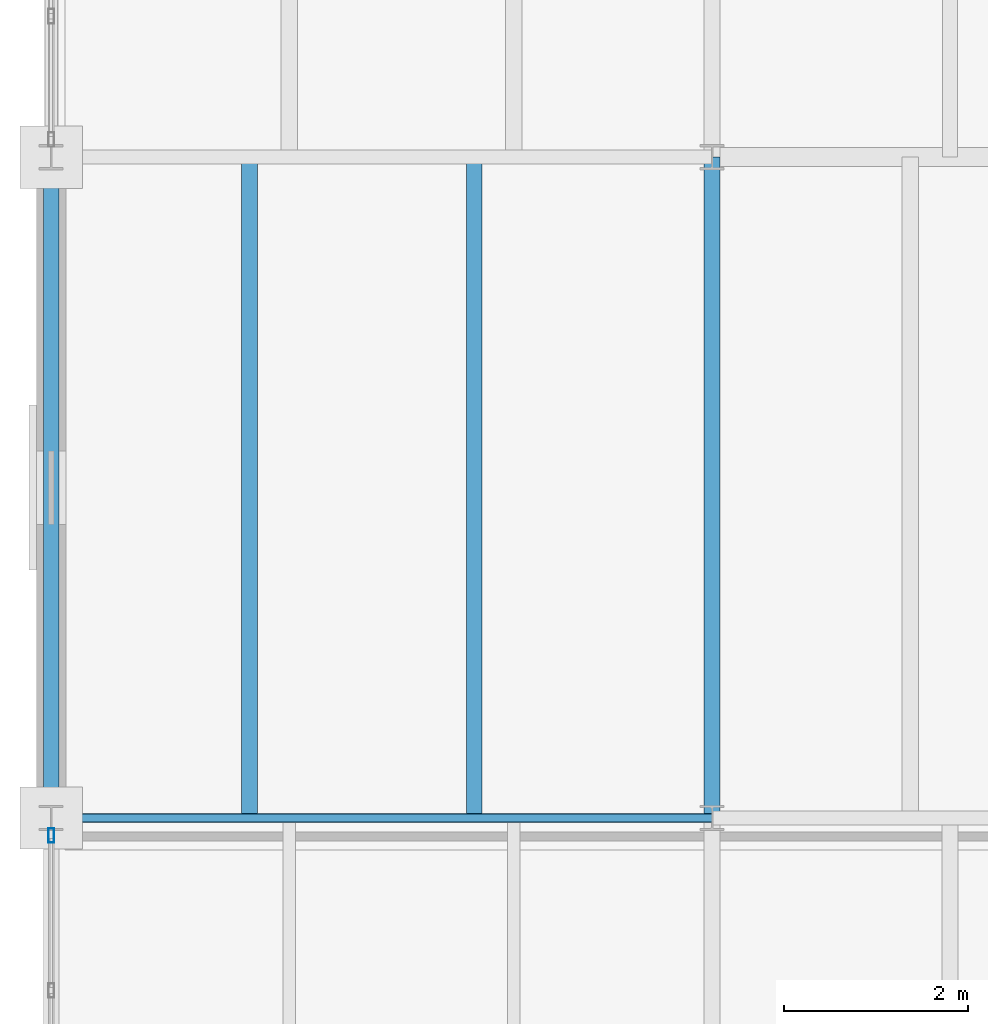
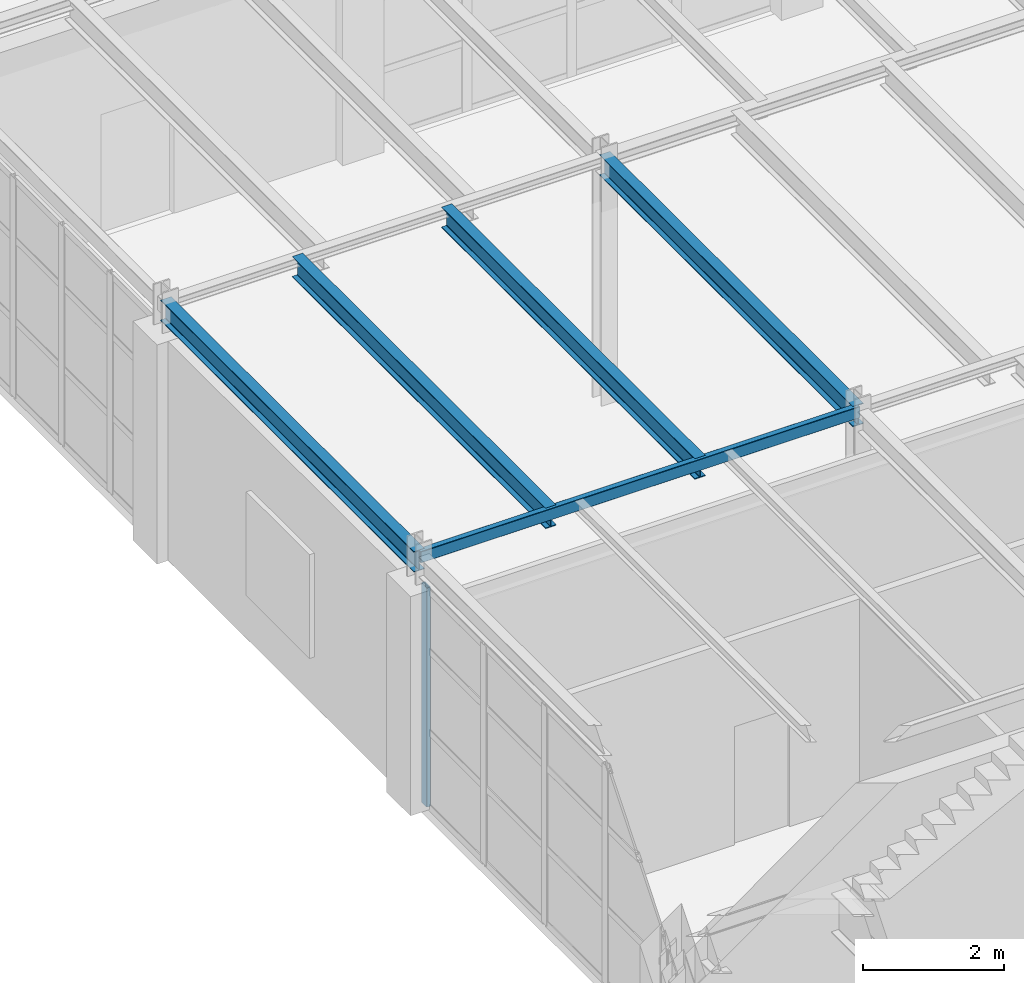
# One storey, part 42 of 101: 5 beams, 1 member, 1 element without a shape of its own.
"""IFC4 building model written with IfcOpenShell, lengths in metres."""

import ifcopenshell
import ifcopenshell.guid

model = None  # the IFC model being written
_history = None  # IfcOwnerHistory: only IFC2X3 demands one
_inside = {}  # id of a spatial element -> (the spatial element, [elements in it])
_under = {}  # id of a project, library or spatial element -> (it, [spatial elements below it])
_declared = {}  # id of a project -> (the project, [libraries it declares])
_typed = {}  # id of a type object -> (the type object, [elements of that type])
_made_of = {}  # id of a material, layer set ... -> (it, [elements and type objects made of it])


def new_model(schema):
    """Start an empty IFC model of exactly this schema.

    Asked for "IFC4X3", IfcOpenShell would pick the latest addendum, in which some entities
    have other attributes; the version numbers below select the first issue.
    IFC2X3 requires an IfcOwnerHistory on every rooted entity: one is made here for all.
    """
    global model, _history
    if schema == "IFC4X3":
        model = ifcopenshell.file(schema_version=(4, 3, 0, 0))
    else:
        model = ifcopenshell.file(schema=schema)
    _inside.clear()
    _under.clear()
    _declared.clear()
    _typed.clear()
    _made_of.clear()
    _history = None
    if model.schema == "IFC2X3":
        org = make("IfcOrganization", Name="unknown")
        user = make(
            "IfcPersonAndOrganization",
            ThePerson=make("IfcPerson", FamilyName="unknown"),
            TheOrganization=org,
        )
        app = make(
            "IfcApplication",
            ApplicationDeveloper=org,
            Version="unknown",
            ApplicationFullName="unknown",
            ApplicationIdentifier="unknown",
        )
        _history = make(
            "IfcOwnerHistory",
            OwningUser=user,
            OwningApplication=app,
            ChangeAction="ADDED",
            CreationDate=0,
        )
    return model


def make(cls, **values):
    """One entity of the class cls with the attributes given. An attribute that is None is left unset."""
    return model.create_entity(
        cls, **{name: value for name, value in values.items() if value is not None}
    )


def rooted(cls, **values):
    """An entity with a GlobalId (a new one), such as an element, a storey or a relation."""
    return make(cls, GlobalId=ifcopenshell.guid.new(), OwnerHistory=_history, **values)


def si_unit(unit_type, name, prefix=None):
    """IfcSIUnit, for example si_unit("LENGTHUNIT", "METRE", prefix="MILLI")."""
    return make("IfcSIUnit", UnitType=unit_type, Prefix=prefix, Name=name)


def assignment(units):
    """IfcUnitAssignment: the units of a project."""
    return None if units is None else make("IfcUnitAssignment", Units=units)


def point(xyz):
    """IfcCartesianPoint."""
    return None if xyz is None else make("IfcCartesianPoint", Coordinates=xyz)


def direction(xyz):
    """IfcDirection."""
    return None if xyz is None else make("IfcDirection", DirectionRatios=xyz)


def frame(location, z_axis=None, x_axis=None):
    """IfcAxis2Placement3D, a coordinate frame: its origin and axes. An axis left out is left unset."""
    return make(
        "IfcAxis2Placement3D",
        Location=point(location),
        Axis=direction(z_axis),
        RefDirection=direction(x_axis),
    )


def frame_2d(location, x_axis=None):
    """IfcAxis2Placement2D, a coordinate frame in the plane: its origin and x axis."""
    return make(
        "IfcAxis2Placement2D", Location=point(location), RefDirection=direction(x_axis)
    )


def origin():
    """The frame at (0, 0, 0) with its axes left unset."""
    return frame((0.0, 0.0, 0.0))


def origin_2d():
    """The frame at (0, 0) in the plane with its x axis left unset."""
    return frame_2d((0.0, 0.0))


def place(relative_to, where):
    """IfcLocalPlacement: puts the frame where relative to a parent placement (None: the world)."""
    return make(
        "IfcLocalPlacement", PlacementRelTo=relative_to, RelativePlacement=where
    )


def context(
    kind, dimensions, precision=None, world=None, true_north=None, identifier=None
):
    """IfcGeometricRepresentationContext, for example the 3D "Model" context."""
    return make(
        "IfcGeometricRepresentationContext",
        ContextIdentifier=identifier,
        ContextType=kind,
        CoordinateSpaceDimension=dimensions,
        Precision=precision,
        WorldCoordinateSystem=world,
        TrueNorth=true_north,
    )


def subcontext(parent, identifier, kind, view, scale=None):
    """IfcGeometricRepresentationSubContext, for example "Body" below "Model"."""
    return make(
        "IfcGeometricRepresentationSubContext",
        ContextIdentifier=identifier,
        ContextType=kind,
        ParentContext=parent,
        TargetScale=scale,
        TargetView=view,
    )


def project(units=None, contexts=None):
    """IfcProject with its units and contexts."""
    return rooted(
        "IfcProject",
        Name="project",
        RepresentationContexts=contexts,
        UnitsInContext=assignment(units),
    )


def spatial(cls, under=None, at=None, **own):
    """A site, building, storey or space (cls), placed at a placement, below another one or the project."""
    s = rooted(cls, ObjectPlacement=at, **own)
    if under is not None:
        _under.setdefault(under.id(), (under, []))[1].append(s)
    return s


def profile(cls, at=None, kind="AREA", **sizes):
    """A parametric profile (cls). Its sizes go by their IFC names, for example OverallWidth=200.0."""
    return make(cls, ProfileType=kind, Position=at, **sizes)


def hollow_rectangle(**sizes):
    """IfcRectangleHollowProfileDef."""
    return profile("IfcRectangleHollowProfileDef", **sizes)


def i_section(**sizes):
    """IfcIShapeProfileDef."""
    return profile("IfcIShapeProfileDef", **sizes)


def extrude(swept, where, along, depth):
    """IfcExtrudedAreaSolid: the profile swept, set in the frame where, extruded along a direction by depth."""
    return make(
        "IfcExtrudedAreaSolid",
        SweptArea=swept,
        Position=where,
        ExtrudedDirection=direction(along),
        Depth=depth,
    )


def shape(context_of_items, identifier, shape_type, items):
    """IfcShapeRepresentation: the items that make up one representation, for example the "Body"."""
    return make(
        "IfcShapeRepresentation",
        ContextOfItems=context_of_items,
        RepresentationIdentifier=identifier,
        RepresentationType=shape_type,
        Items=items,
    )


def material(Name=None, Category=None):
    """IfcMaterial."""
    return make("IfcMaterial", Name=Name, Category=Category)


def layer(
    of_material, thickness, ventilated=None, Name=None, Category=None, Priority=None
):
    """IfcMaterialLayer: one layer of a wall or slab, of a material (None: an air gap)."""
    return make(
        "IfcMaterialLayer",
        Material=of_material,
        LayerThickness=thickness,
        IsVentilated=ventilated,
        Name=Name,
        Category=Category,
        Priority=Priority,
    )


def layer_set(layers, Name=None):
    """IfcMaterialLayerSet."""
    return make("IfcMaterialLayerSet", MaterialLayers=layers, LayerSetName=Name)


def material_profile(
    of_material, cross_section, Name=None, Category=None, Priority=None
):
    """IfcMaterialProfile: a cross section and its material."""
    return make(
        "IfcMaterialProfile",
        Name=Name,
        Material=of_material,
        Profile=cross_section,
        Priority=Priority,
        Category=Category,
    )


def profile_set(profiles, Name=None, composite=None):
    """IfcMaterialProfileSet."""
    return make(
        "IfcMaterialProfileSet",
        Name=Name,
        MaterialProfiles=profiles,
        CompositeProfile=composite,
    )


def made_of(thing, what):
    """Note that an element or type object is made of a material, layer set ...; save() writes the relation."""
    if what is not None:
        _made_of.setdefault(what.id(), (what, []))[1].append(thing)
    return thing


def type_object(cls, material=None, **own):
    """A type object (cls), such as IfcWallType, which elements share."""
    return made_of(rooted(cls, **own), material)


def element(
    cls,
    number,
    at=None,
    inside=None,
    cuts=None,
    type_object=None,
    material=None,
    context=None,
    identifier="Body",
    shape_type=None,
    held_by="IfcProductDefinitionShape",
    body=None,
    shapes=None,
    **own,
):
    """One element of the class cls, such as IfcWall. Its Tag is "e" and its number.

    at: its placement. inside: the storey or other place that contains it. cuts: it is an
    opening in that element (IfcRelVoidsElement). A single representation is given by context,
    identifier, shape_type and body (its items); several are given by shapes. held_by: the class
    of the entity that holds the representations. save() writes the other relations.
    """
    e = rooted(cls, Tag="e%d" % number, ObjectPlacement=at, **own)
    if body is not None:
        shapes = [shape(context, identifier, shape_type, body)]
    if shapes is not None:
        e.Representation = make(held_by, Representations=shapes)
    if inside is not None:
        _inside.setdefault(inside.id(), (inside, []))[1].append(e)
    if cuts is not None:
        rooted(
            "IfcRelVoidsElement", RelatingBuildingElement=cuts, RelatedOpeningElement=e
        )
    if type_object is not None:
        _typed.setdefault(type_object.id(), (type_object, []))[1].append(e)
    return made_of(e, material)


def aggregate(whole, parts):
    """IfcRelAggregates: a whole, such as a stair, and the parts it consists of."""
    return rooted("IfcRelAggregates", RelatingObject=whole, RelatedObjects=parts)


def save(model, path):
    """Write the relations noted so far, then the file.

    IfcRelAggregates (storeys below a building ...), IfcRelContainedInSpatialStructure (elements
    in a storey), IfcRelDefinesByType, IfcRelAssociatesMaterial and IfcRelDeclares: one each for
    every whole, place, type object, material and project.
    """
    for whole, parts in _under.values():
        aggregate(whole, parts)
    for where, things in _inside.values():
        rooted(
            "IfcRelContainedInSpatialStructure",
            RelatedElements=things,
            RelatingStructure=where,
        )
    for kind, things in _typed.values():
        rooted("IfcRelDefinesByType", RelatedObjects=things, RelatingType=kind)
    for what, things in _made_of.values():
        rooted("IfcRelAssociatesMaterial", RelatedObjects=things, RelatingMaterial=what)
    for by, libraries in _declared.values():
        rooted("IfcRelDeclares", RelatingContext=by, RelatedDefinitions=libraries)
    model.write(path)


model = new_model("IFC4")

# Units and contexts
model_context = context("Model", 3, precision=1e-05, world=origin(), true_north=direction((0.0, 1.0)))
body_context = subcontext(model_context, "Body", "Model", "MODEL_VIEW")
ifc_project = project(units=[si_unit("LENGTHUNIT", "METRE"), si_unit("AREAUNIT", "SQUARE_METRE"), si_unit("VOLUMEUNIT", "CUBIC_METRE"), si_unit("PLANEANGLEUNIT", "RADIAN"), si_unit("MASSUNIT", "GRAM", prefix="KILO")], contexts=[model_context])

# Site, building, storey
site_placement = place(None, origin())
site = spatial("IfcSite", under=ifc_project, at=site_placement, CompositionType="ELEMENT")
building_placement = place(site_placement, origin())
building = spatial("IfcBuilding", under=site, at=building_placement, Name="Kemerveld Promenade Tramway Depot", CompositionType="ELEMENT")
storey_placement = place(building_placement, frame((0.0, 0.0, 9.89990234375)))
storey = spatial("IfcBuildingStorey", under=building, at=storey_placement, Name="L02", CompositionType="ELEMENT", Elevation=9.89990234375)

# Beams
ifc_material_1 = material(Name="Steel S355", Category="steel")
ifc_material_profile_1 = material_profile(ifc_material_1, i_section(OverallWidth=0.172119140625, OverallDepth=0.35791015625, WebThickness=0.008056640625, FlangeThickness=0.012939453125, FilletRadius=0.01025390625, at=origin_2d()), Name="356x171x57 UB")
ifc_profile_set_1 = profile_set([ifc_material_profile_1], Name="Steel S355")
beam_type_1 = type_object("IfcBeamType", Name="BM-G08", PredefinedType="BEAM", material=ifc_profile_set_1)
for number, where, z_axis, x_axis, name in (
    (1, (0.0, 57.60009765625, 4.106201171875), (0.0, 1.0, 0.0), (-1.0, 0.0, 0.0), "BMY-L02-01-J-K"),
    (2, (7.199951171875, 57.60009765625, 4.106201171875), (0.0, 1.0, 0.0), (-1.0, 0.0, 0.0), "BMY-L02-02-J-K"),
):
    element("IfcBeam", number, at=place(storey_placement, frame(where, z_axis=z_axis, x_axis=x_axis)), inside=storey, type_object=beam_type_1, Name=name, PredefinedType="BEAM", context=body_context, shape_type="SweptSolid", body=[
        extrude(i_section(OverallWidth=0.172119140625, OverallDepth=0.35791015625, WebThickness=0.008056640625, FlangeThickness=0.012939453125, FilletRadius=0.01025390625, at=origin_2d()), origin(), (0.0, 0.0, 1.0), 7.199951171875),
    ])
ifc_material_profile_2 = material_profile(ifc_material_1, i_section(OverallWidth=0.172119140625, OverallDepth=0.35791015625, WebThickness=0.008056640625, FlangeThickness=0.012939453125, FilletRadius=0.01025390625, at=origin_2d()), Name="356x171x57 UB")
ifc_profile_set_2 = profile_set([ifc_material_profile_2], Name="Steel S355")
beam_type_2 = type_object("IfcBeamType", Name="BM-J04", PredefinedType="JOIST", material=ifc_profile_set_2)
for number, where, z_axis, x_axis, name in (
    (3, (2.159912109375, 57.60009765625, 4.106201171875), (0.0, 1.0, 0.0), (-1.0, 0.0, 0.0), "JST-L02-01-J-1"),
    (4, (4.60791015625, 57.60009765625, 4.106201171875), (0.0, 1.0, 0.0), (-1.0, 0.0, 0.0), "JST-L02-01-J-2"),
):
    element("IfcBeam", number, at=place(storey_placement, frame(where, z_axis=z_axis, x_axis=x_axis)), inside=storey, type_object=beam_type_2, Name=name, PredefinedType="JOIST", context=body_context, shape_type="SweptSolid", body=[
        extrude(i_section(OverallWidth=0.172119140625, OverallDepth=0.35791015625, WebThickness=0.008056640625, FlangeThickness=0.012939453125, FilletRadius=0.01025390625, at=origin_2d()), origin(), (0.0, 0.0, 1.0), 7.199951171875),
    ])
ifc_material_profile_3 = material_profile(ifc_material_1, hollow_rectangle(XDim=0.10009765625, YDim=0.199951171875, WallThickness=0.008056640625, InnerFilletRadius=0.00390625, OuterFilletRadius=0.011962890625, at=origin_2d()), Name="200x100x8.0 RHS")
ifc_profile_set_3 = profile_set([ifc_material_profile_3], Name="Steel S355")
beam_type_3 = type_object("IfcBeamType", Name="BM-LN1", PredefinedType="LINTEL", material=ifc_profile_set_3)
beam_placement = place(storey_placement, frame((0.0, 57.60009765625, 4.18505859375), z_axis=(1.0, 0.0, 0.0), x_axis=(0.0, 1.0, 0.0)))
element("IfcBeam", 5, at=beam_placement, inside=storey, type_object=beam_type_3, Name="BMX-L02-01-02-J", PredefinedType="LINTEL", context=body_context, shape_type="SweptSolid", body=[
    extrude(hollow_rectangle(XDim=0.10009765625, YDim=0.199951171875, WallThickness=0.008056640625, InnerFilletRadius=0.00390625, OuterFilletRadius=0.011962890625, at=origin_2d()), origin(), (0.0, 0.0, 1.0), 7.199951171875),
])

# Curtain wall, member
ifc_material_2 = material(Name="Bronze anodised aluminium and solar glass", Category="aluminium")
ifc_layer = layer(ifc_material_2, 0.159912109375)
ifc_layer_set = layer_set([ifc_layer], Name="CW-SYS-11")
curtain_wall_type = type_object("IfcCurtainWallType", Name="CW-SYS-11", PredefinedType="USERDEFINED", material=ifc_layer_set)
curtain_wall_placement = place(storey_placement, origin())
curtain_wall = element("IfcCurtainWall", 6, at=curtain_wall_placement, inside=storey, type_object=curtain_wall_type, Name="CW-L02-V5W-08", ObjectType="GLAZED_CURTAIN_WALL", PredefinedType="USERDEFINED")
ifc_material_3 = material(Name="Bronze anodised aluminium", Category="aluminium")
ifc_material_profile_4 = material_profile(ifc_material_3, hollow_rectangle(XDim=0.06494140625, YDim=0.159912109375, WallThickness=0.00390625, InnerFilletRadius=0.001953125, OuterFilletRadius=0.00390625, at=origin_2d()), Name="CW-MUL-160x65")
ifc_profile_set_4 = profile_set([ifc_material_profile_4], Name="Bronze anodised aluminium")
member_type = type_object("IfcMemberType", Name="CW-MUL-A", PredefinedType="MULLION", material=ifc_profile_set_4)
member_placement = place(storey_placement, frame((0.0, 57.409423828125, 0.0), z_axis=(0.0, 0.0, 1.0), x_axis=(-1.0, 0.0, 0.0)))
member = element("IfcMember", 7, at=member_placement, type_object=member_type, Name="CW11 mullion 5", PredefinedType="MULLION", context=body_context, shape_type="SweptSolid", body=[
    extrude(hollow_rectangle(XDim=0.06494140625, YDim=0.159912109375, WallThickness=0.00390625, InnerFilletRadius=0.001953125, OuterFilletRadius=0.00390625, at=origin_2d()), origin(), (0.0, 0.0, 1.0), 3.800048828125),
])
aggregate(curtain_wall, [member])

save(model, "model.ifc")
